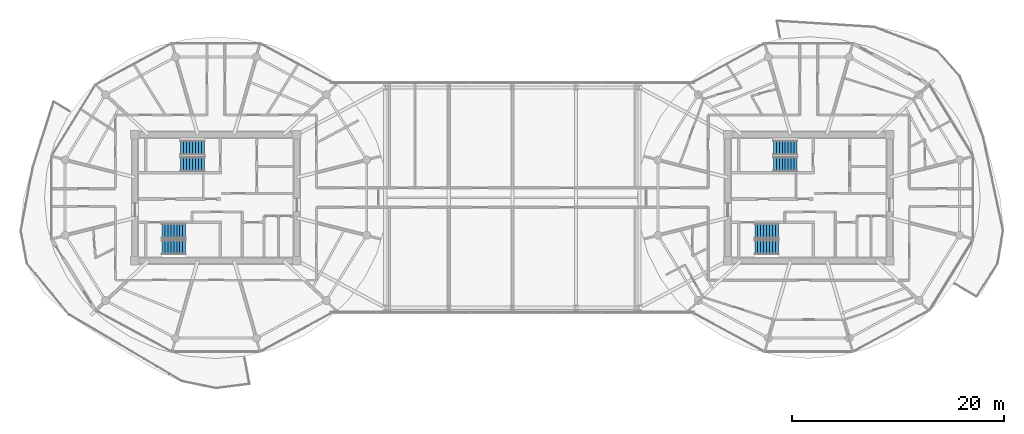
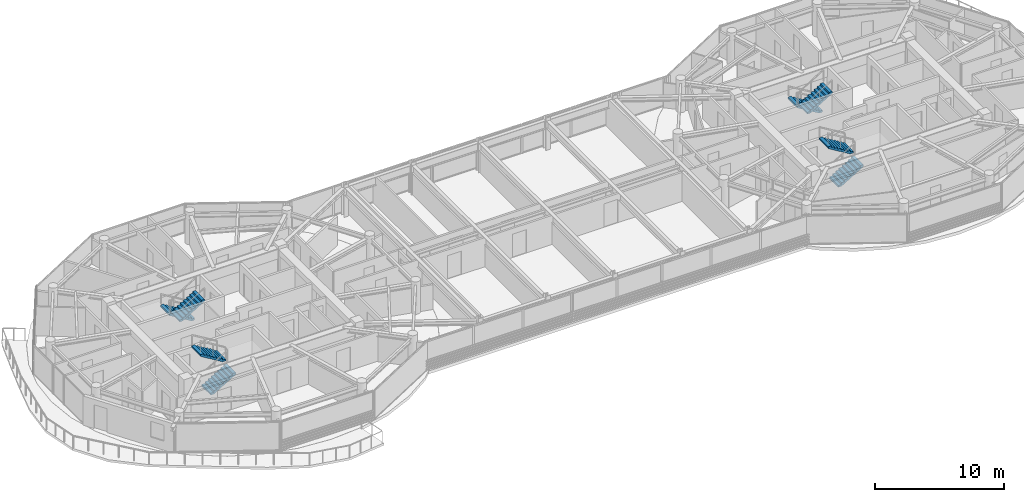
# One storey, part 20 of 23: 8 stair flights, 4 elements without a shape of their own.
"""IFC4 building model written with IfcOpenShell, lengths in metres."""

from ifc_helpers import new_model, si_unit, direction, frame, origin, place, context, subcontext, project, spatial, polyline, outline, extrude, material, type_object, element, aggregate, save


model = new_model("IFC4")

# Units and contexts
model_context = context("Model", 3, precision=1e-05, world=origin(), true_north=direction((0.0, 1.0)))
body_context = subcontext(model_context, "Body", "Model", "MODEL_VIEW")
ifc_project = project(units=[si_unit("LENGTHUNIT", "METRE"), si_unit("AREAUNIT", "SQUARE_METRE"), si_unit("VOLUMEUNIT", "CUBIC_METRE"), si_unit("PLANEANGLEUNIT", "RADIAN"), si_unit("MASSUNIT", "GRAM", prefix="KILO")], contexts=[model_context])

# Site, building, storey
site_placement = place(None, origin())
site = spatial("IfcSite", under=ifc_project, at=site_placement, CompositionType="ELEMENT")
building_placement = place(site_placement, origin())
building = spatial("IfcBuilding", under=site, at=building_placement, Name="Norrkilde Senior Care Towers", CompositionType="ELEMENT")
storey_placement = place(building_placement, frame((0.0, 0.0, 220.0)))
storey = spatial("IfcBuildingStorey", under=building, at=storey_placement, Name="L68", CompositionType="ELEMENT", Elevation=220.0)

# Stair, stair flights
ifc_material = material(Name="Concrete C45/55", Category="concrete")
stair_type = type_object("IfcStairType", Name="Core Protected Dogleg Stair Typical 3050", PredefinedType="HALF_TURN_STAIR", material=ifc_material)
stair_1_placement = place(storey_placement, origin())
stair_1 = element("IfcStair", 1, at=stair_1_placement, inside=storey, type_object=stair_type, Name="L68 Protected Core Stair W1", PredefinedType="HALF_TURN_STAIR")
stair_flight_type = type_object("IfcStairFlightType", Name="Core Protected Dogleg Stair Typical 3050 Flight", PredefinedType="STRAIGHT", material=ifc_material)
stair_flight_1_placement = place(storey_placement, frame((-29.10009765625, 4.699951171875, 0.0), z_axis=(0.0, 0.0, 1.0), x_axis=(-1.0, 0.0, 0.0)))
stair_flight_1 = element("IfcStairFlight", 2, at=stair_flight_1_placement, type_object=stair_flight_type, Name="ST-W1 flight 1", NumberOfRisers=9, NumberOfTreads=8, PredefinedType="STRAIGHT", RiserHeight=0.169444444, TreadLength=0.28, context=body_context, shape_type="SweptSolid", body=[
    extrude(outline(polyline([(0.0, 0.0), (0.0, 0.16943359375), (0.280029296875, 0.16943359375), (0.280029296875, 0.3388671875), (0.56005859375, 0.3388671875), (0.56005859375, 0.50830078125), (0.840087890625, 0.50830078125), (0.840087890625, 0.677734375), (1.1201171875, 0.677734375), (1.1201171875, 0.84716796875), (1.39990234375, 0.84716796875), (1.39990234375, 1.0166015625), (1.679931640625, 1.0166015625), (1.679931640625, 1.18603515625), (1.9599609375, 1.18603515625), (1.9599609375, 1.35546875), (2.239990234375, 1.35546875), (2.239990234375, 1.52490234375), (2.239990234375, 1.180419921875), (0.28955078125, 0.0), (0.0, 0.0)])), frame((0.0, 0.699951171875, 0.0), z_axis=(0.0, -1.0, 0.0), x_axis=(1.0, 0.0, 0.0)), (0.0, 0.0, 1.0), 1.39990234375),
])
stair_flight_2_placement = place(storey_placement, frame((-31.340087890625, 3.14990234375, 1.52490234375), z_axis=(0.0, 0.0, 1.0), x_axis=(1.0, 0.0, 0.0)))
stair_flight_2 = element("IfcStairFlight", 3, at=stair_flight_2_placement, type_object=stair_flight_type, Name="ST-W1 flight 2", NumberOfRisers=9, NumberOfTreads=8, PredefinedType="STRAIGHT", RiserHeight=0.169444444, TreadLength=0.28, context=body_context, shape_type="SweptSolid", body=[
    extrude(outline(polyline([(0.0, 0.0), (0.0, 0.16943359375), (0.280029296875, 0.16943359375), (0.280029296875, 0.3388671875), (0.56005859375, 0.3388671875), (0.56005859375, 0.50830078125), (0.840087890625, 0.50830078125), (0.840087890625, 0.677734375), (1.1201171875, 0.677734375), (1.1201171875, 0.84716796875), (1.39990234375, 0.84716796875), (1.39990234375, 1.0166015625), (1.679931640625, 1.0166015625), (1.679931640625, 1.18603515625), (1.9599609375, 1.18603515625), (1.9599609375, 1.35546875), (2.239990234375, 1.35546875), (2.239990234375, 1.52490234375), (2.239990234375, 1.180419921875), (0.28955078125, 0.0), (0.0, 0.0)])), frame((0.0, 0.699951171875, 0.0), z_axis=(0.0, -1.0, 0.0), x_axis=(1.0, 0.0, 0.0)), (0.0, 0.0, 1.0), 1.39990234375),
])
aggregate(stair_1, [stair_flight_1, stair_flight_2])

stair_2_placement = place(storey_placement, origin())
stair_2 = element("IfcStair", 4, at=stair_2_placement, inside=storey, type_object=stair_type, Name="L68 Protected Core Stair W2", PredefinedType="HALF_TURN_STAIR")
stair_flight_3_placement = place(storey_placement, frame((-33.10009765625, -4.699951171875, 0.0), z_axis=(0.0, 0.0, 1.0), x_axis=(1.0, 0.0, 0.0)))
stair_flight_3 = element("IfcStairFlight", 5, at=stair_flight_3_placement, type_object=stair_flight_type, Name="ST-W2 flight 1", NumberOfRisers=9, NumberOfTreads=8, PredefinedType="STRAIGHT", RiserHeight=0.169444444, TreadLength=0.28, context=body_context, shape_type="SweptSolid", body=[
    extrude(outline(polyline([(0.0, 0.0), (0.0, 0.16943359375), (0.280029296875, 0.16943359375), (0.280029296875, 0.3388671875), (0.56005859375, 0.3388671875), (0.56005859375, 0.50830078125), (0.840087890625, 0.50830078125), (0.840087890625, 0.677734375), (1.1201171875, 0.677734375), (1.1201171875, 0.84716796875), (1.39990234375, 0.84716796875), (1.39990234375, 1.0166015625), (1.679931640625, 1.0166015625), (1.679931640625, 1.18603515625), (1.9599609375, 1.18603515625), (1.9599609375, 1.35546875), (2.239990234375, 1.35546875), (2.239990234375, 1.52490234375), (2.239990234375, 1.180419921875), (0.28955078125, 0.0), (0.0, 0.0)])), frame((0.0, 0.699951171875, 0.0), z_axis=(0.0, -1.0, 0.0), x_axis=(1.0, 0.0, 0.0)), (0.0, 0.0, 1.0), 1.39990234375),
])
stair_flight_4_placement = place(storey_placement, frame((-30.860107421875, -3.14990234375, 1.52490234375), z_axis=(0.0, 0.0, 1.0), x_axis=(-1.0, 0.0, 0.0)))
stair_flight_4 = element("IfcStairFlight", 6, at=stair_flight_4_placement, type_object=stair_flight_type, Name="ST-W2 flight 2", NumberOfRisers=9, NumberOfTreads=8, PredefinedType="STRAIGHT", RiserHeight=0.169444444, TreadLength=0.28, context=body_context, shape_type="SweptSolid", body=[
    extrude(outline(polyline([(0.0, 0.0), (0.0, 0.16943359375), (0.280029296875, 0.16943359375), (0.280029296875, 0.3388671875), (0.56005859375, 0.3388671875), (0.56005859375, 0.50830078125), (0.840087890625, 0.50830078125), (0.840087890625, 0.677734375), (1.1201171875, 0.677734375), (1.1201171875, 0.84716796875), (1.39990234375, 0.84716796875), (1.39990234375, 1.0166015625), (1.679931640625, 1.0166015625), (1.679931640625, 1.18603515625), (1.9599609375, 1.18603515625), (1.9599609375, 1.35546875), (2.239990234375, 1.35546875), (2.239990234375, 1.52490234375), (2.239990234375, 1.180419921875), (0.28955078125, 0.0), (0.0, 0.0)])), frame((0.0, 0.699951171875, 0.0), z_axis=(0.0, -1.0, 0.0), x_axis=(1.0, 0.0, 0.0)), (0.0, 0.0, 1.0), 1.39990234375),
])
aggregate(stair_2, [stair_flight_3, stair_flight_4])

stair_3_placement = place(storey_placement, origin())
stair_3 = element("IfcStair", 7, at=stair_3_placement, inside=storey, type_object=stair_type, Name="L68 Protected Core Stair E1", PredefinedType="HALF_TURN_STAIR")
stair_flight_5_placement = place(storey_placement, frame((26.89990234375, 4.699951171875, 0.0), z_axis=(0.0, 0.0, 1.0), x_axis=(-1.0, 0.0, 0.0)))
stair_flight_5 = element("IfcStairFlight", 8, at=stair_flight_5_placement, type_object=stair_flight_type, Name="ST-E1 flight 1", NumberOfRisers=9, NumberOfTreads=8, PredefinedType="STRAIGHT", RiserHeight=0.169444444, TreadLength=0.28, context=body_context, shape_type="SweptSolid", body=[
    extrude(outline(polyline([(0.0, 0.0), (0.0, 0.16943359375), (0.280029296875, 0.16943359375), (0.280029296875, 0.3388671875), (0.56005859375, 0.3388671875), (0.56005859375, 0.50830078125), (0.840087890625, 0.50830078125), (0.840087890625, 0.677734375), (1.1201171875, 0.677734375), (1.1201171875, 0.84716796875), (1.39990234375, 0.84716796875), (1.39990234375, 1.0166015625), (1.679931640625, 1.0166015625), (1.679931640625, 1.18603515625), (1.9599609375, 1.18603515625), (1.9599609375, 1.35546875), (2.239990234375, 1.35546875), (2.239990234375, 1.52490234375), (2.239990234375, 1.180419921875), (0.28955078125, 0.0), (0.0, 0.0)])), frame((0.0, 0.699951171875, 0.0), z_axis=(0.0, -1.0, 0.0), x_axis=(1.0, 0.0, 0.0)), (0.0, 0.0, 1.0), 1.39990234375),
])
stair_flight_6_placement = place(storey_placement, frame((24.659912109375, 3.14990234375, 1.52490234375), z_axis=(0.0, 0.0, 1.0), x_axis=(1.0, 0.0, 0.0)))
stair_flight_6 = element("IfcStairFlight", 9, at=stair_flight_6_placement, type_object=stair_flight_type, Name="ST-E1 flight 2", NumberOfRisers=9, NumberOfTreads=8, PredefinedType="STRAIGHT", RiserHeight=0.169444444, TreadLength=0.28, context=body_context, shape_type="SweptSolid", body=[
    extrude(outline(polyline([(0.0, 0.0), (0.0, 0.16943359375), (0.280029296875, 0.16943359375), (0.280029296875, 0.3388671875), (0.56005859375, 0.3388671875), (0.56005859375, 0.50830078125), (0.840087890625, 0.50830078125), (0.840087890625, 0.677734375), (1.1201171875, 0.677734375), (1.1201171875, 0.84716796875), (1.39990234375, 0.84716796875), (1.39990234375, 1.0166015625), (1.679931640625, 1.0166015625), (1.679931640625, 1.18603515625), (1.9599609375, 1.18603515625), (1.9599609375, 1.35546875), (2.239990234375, 1.35546875), (2.239990234375, 1.52490234375), (2.239990234375, 1.180419921875), (0.28955078125, 0.0), (0.0, 0.0)])), frame((0.0, 0.699951171875, 0.0), z_axis=(0.0, -1.0, 0.0), x_axis=(1.0, 0.0, 0.0)), (0.0, 0.0, 1.0), 1.39990234375),
])
aggregate(stair_3, [stair_flight_5, stair_flight_6])

stair_4_placement = place(storey_placement, origin())
stair_4 = element("IfcStair", 10, at=stair_4_placement, inside=storey, type_object=stair_type, Name="L68 Protected Core Stair E2", PredefinedType="HALF_TURN_STAIR")
stair_flight_7_placement = place(storey_placement, frame((22.89990234375, -4.699951171875, 0.0), z_axis=(0.0, 0.0, 1.0), x_axis=(1.0, 0.0, 0.0)))
stair_flight_7 = element("IfcStairFlight", 11, at=stair_flight_7_placement, type_object=stair_flight_type, Name="ST-E2 flight 1", NumberOfRisers=9, NumberOfTreads=8, PredefinedType="STRAIGHT", RiserHeight=0.169444444, TreadLength=0.28, context=body_context, shape_type="SweptSolid", body=[
    extrude(outline(polyline([(0.0, 0.0), (0.0, 0.16943359375), (0.280029296875, 0.16943359375), (0.280029296875, 0.3388671875), (0.56005859375, 0.3388671875), (0.56005859375, 0.50830078125), (0.840087890625, 0.50830078125), (0.840087890625, 0.677734375), (1.1201171875, 0.677734375), (1.1201171875, 0.84716796875), (1.39990234375, 0.84716796875), (1.39990234375, 1.0166015625), (1.679931640625, 1.0166015625), (1.679931640625, 1.18603515625), (1.9599609375, 1.18603515625), (1.9599609375, 1.35546875), (2.239990234375, 1.35546875), (2.239990234375, 1.52490234375), (2.239990234375, 1.180419921875), (0.28955078125, 0.0), (0.0, 0.0)])), frame((0.0, 0.699951171875, 0.0), z_axis=(0.0, -1.0, 0.0), x_axis=(1.0, 0.0, 0.0)), (0.0, 0.0, 1.0), 1.39990234375),
])
stair_flight_8_placement = place(storey_placement, frame((25.139892578125, -3.14990234375, 1.52490234375), z_axis=(0.0, 0.0, 1.0), x_axis=(-1.0, 0.0, 0.0)))
stair_flight_8 = element("IfcStairFlight", 12, at=stair_flight_8_placement, type_object=stair_flight_type, Name="ST-E2 flight 2", NumberOfRisers=9, NumberOfTreads=8, PredefinedType="STRAIGHT", RiserHeight=0.169444444, TreadLength=0.28, context=body_context, shape_type="SweptSolid", body=[
    extrude(outline(polyline([(0.0, 0.0), (0.0, 0.16943359375), (0.280029296875, 0.16943359375), (0.280029296875, 0.3388671875), (0.56005859375, 0.3388671875), (0.56005859375, 0.50830078125), (0.840087890625, 0.50830078125), (0.840087890625, 0.677734375), (1.1201171875, 0.677734375), (1.1201171875, 0.84716796875), (1.39990234375, 0.84716796875), (1.39990234375, 1.0166015625), (1.679931640625, 1.0166015625), (1.679931640625, 1.18603515625), (1.9599609375, 1.18603515625), (1.9599609375, 1.35546875), (2.239990234375, 1.35546875), (2.239990234375, 1.52490234375), (2.239990234375, 1.180419921875), (0.28955078125, 0.0), (0.0, 0.0)])), frame((0.0, 0.699951171875, 0.0), z_axis=(0.0, -1.0, 0.0), x_axis=(1.0, 0.0, 0.0)), (0.0, 0.0, 1.0), 1.39990234375),
])
aggregate(stair_4, [stair_flight_7, stair_flight_8])

save(model, "model.ifc")
